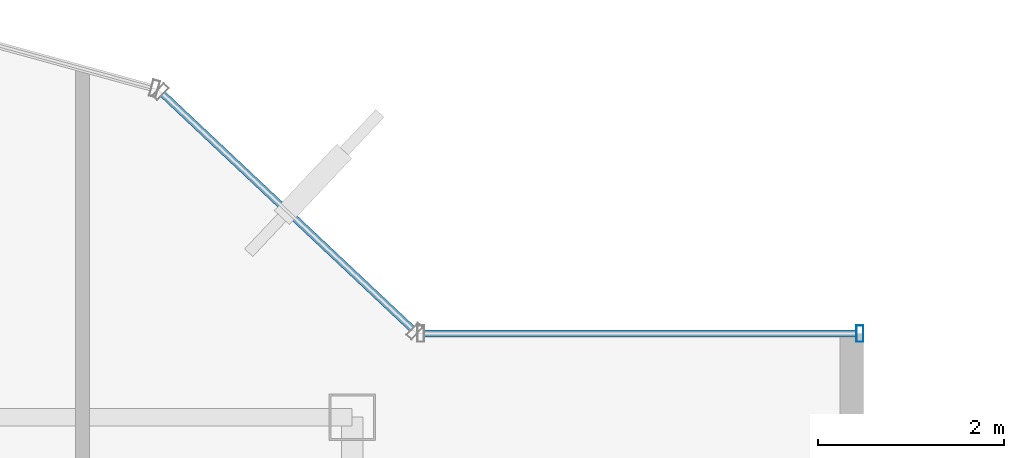
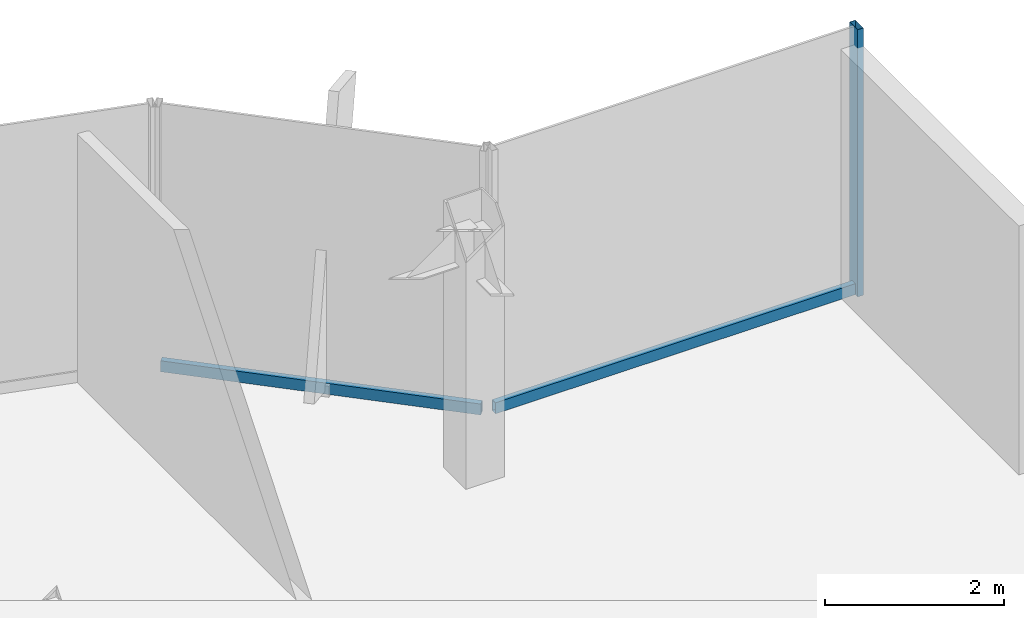
# One storey, part 15 of 22: 3 members, 2 elements without a shape of their own.
"""IFC4 building model written with IfcOpenShell, lengths in metres."""

from ifc_helpers import new_model, si_unit, derived_unit, direction, frame, origin, origin_2d, place, context, subcontext, project, spatial, hollow_rectangle, extrude, source, transform, mapped, material, material_profile, profile_set, type_object, element, aggregate, save


model = new_model("IFC4")

# Units and contexts
model_context = context("Model", 3, precision=1e-05, world=origin(), true_north=direction((0.0, 1.0)))
body_context = subcontext(model_context, "Body", "Model", "MODEL_VIEW")
ifc_project = project(units=[si_unit("LENGTHUNIT", "METRE"), si_unit("AREAUNIT", "SQUARE_METRE"), si_unit("VOLUMEUNIT", "CUBIC_METRE"), si_unit("PLANEANGLEUNIT", "RADIAN"), si_unit("MASSUNIT", "GRAM", prefix="KILO"), derived_unit("THERMALTRANSMITTANCEUNIT", [(si_unit("POWERUNIT", "WATT"), 1), (si_unit("LENGTHUNIT", "METRE"), -2), (si_unit("THERMODYNAMICTEMPERATUREUNIT", "KELVIN"), -1)])], contexts=[model_context])

# Site, building, storey
site_placement = place(None, origin())
site = spatial("IfcSite", under=ifc_project, at=site_placement, CompositionType="ELEMENT")
building_placement = place(site_placement, origin())
building = spatial("IfcBuilding", under=site, at=building_placement, Name="Skarnbrae Concourse Arena and Tower", CompositionType="ELEMENT")
storey_placement = place(building_placement, frame((0.0, 0.0, 247.85009765625)))
storey = spatial("IfcBuildingStorey", under=building, at=storey_placement, Name="L64", CompositionType="ELEMENT", Elevation=247.85009765625)

# Curtain wall, members
ifc_material = material(Name="Bronze anodised aluminium 6063-T6", Category="aluminium")
curtain_wall_type = type_object("IfcCurtainWallType", Name="CW-SYS-05-HIGHZONE", PredefinedType="USERDEFINED", material=ifc_material)
curtain_wall_1_placement = place(storey_placement, origin())
curtain_wall_1 = element("IfcCurtainWall", 1, at=curtain_wall_1_placement, inside=storey, type_object=curtain_wall_type, Name="L64 Unitised curtain wall CW-L64-E07", ObjectType="UNITISED CURTAIN WALL", PredefinedType="USERDEFINED")
ifc_material_profile_1 = material_profile(ifc_material, hollow_rectangle(XDim=0.074951171875, YDim=0.179931640625, WallThickness=0.00390625, at=origin_2d()), Name="ALU-MULL-75X180")
ifc_profile_set_1 = profile_set([ifc_material_profile_1], Name="Bronze anodised aluminium 6063-T6")
member_type_1 = type_object("IfcMemberType", Name="CWM-CW-05", PredefinedType="MULLION", material=ifc_profile_set_1)
shared_shape_1 = source(origin(), body_context, "Body", "SweptSolid", [
    extrude(hollow_rectangle(XDim=0.074951171875, YDim=0.179931640625, WallThickness=0.00390625, at=origin_2d()), origin(), (0.0, 0.0, 1.0), 3.64990234375),
])
member_1_placement = place(storey_placement, frame((38.96240234375, 35.300048828125, 0.0), z_axis=(0.0, 0.0, 1.0), x_axis=(-1.0, 0.0, 0.0)))
member_1 = element("IfcMember", 2, at=member_1_placement, type_object=member_type_1, Name="CW-L64-E07 Mullion 1", PredefinedType="MULLION", context=body_context, shape_type="MappedRepresentation", body=[
    mapped(shared_shape_1, transform((0.0, 0.0, 0.0))),
])
ifc_material_profile_2 = material_profile(ifc_material, hollow_rectangle(XDim=0.074951171875, YDim=0.14990234375, WallThickness=0.00390625, at=origin_2d()), Name="ALU-TRAN-75X150")
ifc_profile_set_2 = profile_set([ifc_material_profile_2], Name="Bronze anodised aluminium 6063-T6")
member_type_2 = type_object("IfcMemberType", Name="CWT-CW-05", PredefinedType="USERDEFINED", material=ifc_profile_set_2)
shared_shape_2 = source(origin(), body_context, "Body", "SweptSolid", [
    extrude(hollow_rectangle(XDim=0.074951171875, YDim=0.14990234375, WallThickness=0.00390625, at=origin_2d()), origin(), (0.0, 0.0, 1.0), 4.650146484375),
])
member_2_placement = place(storey_placement, frame((38.925048828125, 35.300048828125, 0.074951171875), z_axis=(-1.0, 0.0, 0.0), x_axis=(0.0, -1.0, 0.0)))
member_2 = element("IfcMember", 3, at=member_2_placement, type_object=member_type_2, Name="CW-L64-E07 Transom 1", ObjectType="TRANSOM", PredefinedType="USERDEFINED", context=body_context, shape_type="MappedRepresentation", body=[
    mapped(shared_shape_2, transform((0.0, 0.0, 0.0))),
])
aggregate(curtain_wall_1, [member_1, member_2])

# Curtain wall, member
curtain_wall_2_placement = place(storey_placement, origin())
curtain_wall_2 = element("IfcCurtainWall", 4, at=curtain_wall_2_placement, inside=storey, type_object=curtain_wall_type, Name="L64 Unitised curtain wall CW-L64-E08", ObjectType="UNITISED CURTAIN WALL", PredefinedType="USERDEFINED")
shared_shape_3 = source(origin(), body_context, "Body", "SweptSolid", [
    extrude(hollow_rectangle(XDim=0.074951171875, YDim=0.14990234375, WallThickness=0.00390625, at=origin_2d()), origin(), (0.0, 0.0, 1.0), 3.68212890625),
])
member_3_placement = place(storey_placement, frame((34.1455078125, 35.351318359375, 0.074951171875), z_axis=(-0.728133808476, 0.685435012933, 0.0), x_axis=(-0.685435012933, -0.728133808476, 0.0)))
member_3 = element("IfcMember", 5, at=member_3_placement, type_object=member_type_2, Name="CW-L64-E08 Transom 1", ObjectType="TRANSOM", PredefinedType="USERDEFINED", context=body_context, shape_type="MappedRepresentation", body=[
    mapped(shared_shape_3, transform((0.0, 0.0, 0.0))),
])
aggregate(curtain_wall_2, [member_3])

save(model, "model.ifc")
